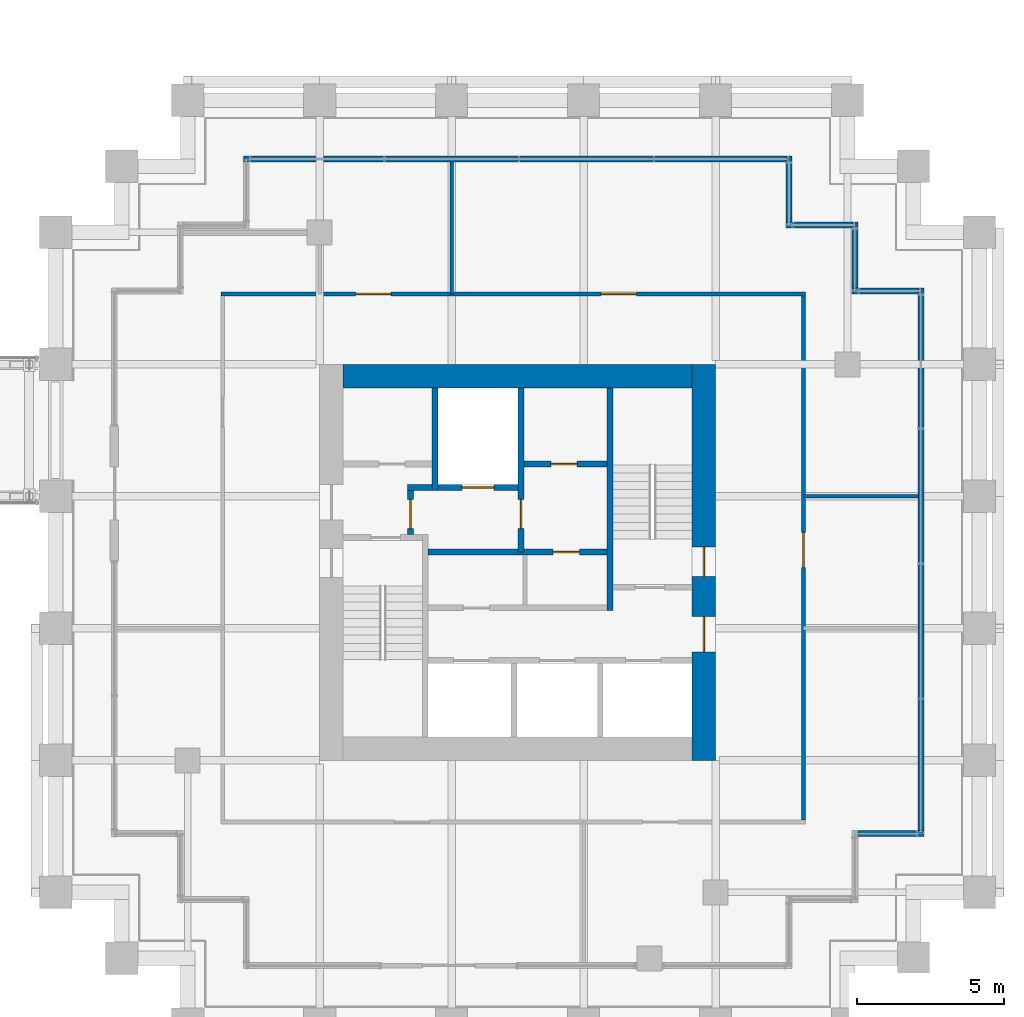
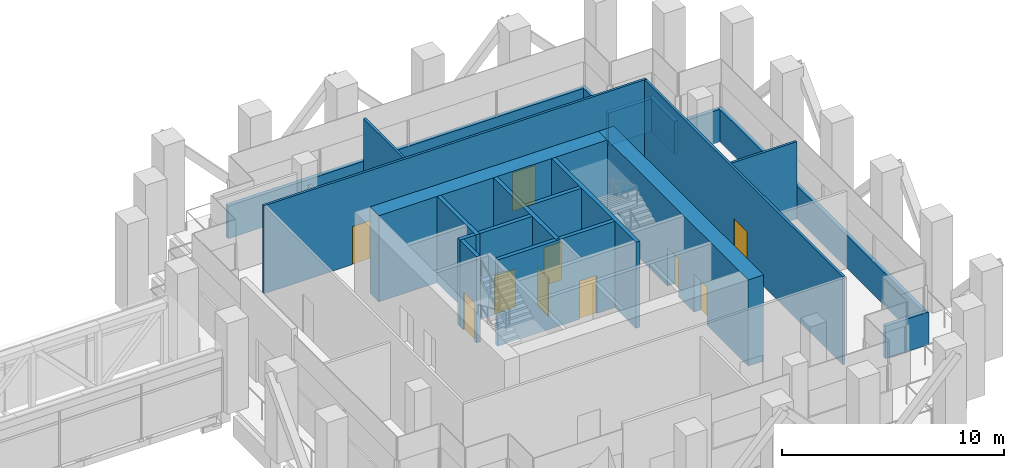
# One storey, part 40 of 44: 21 walls, 10 doors, 10 openings.
"""IFC4 building model written with IfcOpenShell, lengths in metres."""

from ifc_helpers import new_model, si_unit, direction, frame, frame_2d, origin, place, context, subcontext, project, spatial, rectangle, extrude, material, layer, layer_set, type_object, element, fill, save


model = new_model("IFC4")

# Units and contexts
model_context = context("Model", 3, precision=1e-05, world=origin(), true_north=direction((0.0, 1.0)))
body_context = subcontext(model_context, "Body", "Model", "MODEL_VIEW")
ifc_project = project(units=[si_unit("LENGTHUNIT", "METRE"), si_unit("AREAUNIT", "SQUARE_METRE"), si_unit("VOLUMEUNIT", "CUBIC_METRE"), si_unit("PLANEANGLEUNIT", "RADIAN"), si_unit("MASSUNIT", "GRAM", prefix="KILO")], contexts=[model_context])

# Site, building, storey
site_placement = place(None, origin())
site = spatial("IfcSite", under=ifc_project, at=site_placement, CompositionType="ELEMENT")
building_placement = place(site_placement, origin())
building = spatial("IfcBuilding", under=site, at=building_placement, Name="Altepetl Exchange Towers", CompositionType="ELEMENT")
storey_placement = place(building_placement, frame((0.0, 0.0, 87.0)))
storey = spatial("IfcBuildingStorey", under=building, at=storey_placement, Name="L21 Refuge", CompositionType="ELEMENT", Elevation=87.0)

# Wall, openings, doors
ifc_material_1 = material(Name="Concrete C70/85", Category="concrete")
ifc_layer_1 = layer(ifc_material_1, 0.800048828125)
ifc_layer_set_1 = layer_set([ifc_layer_1], Name="Concrete C70/85")
wall_type_1 = type_object("IfcWallType", Name="Core wall 800 reinforced concrete", PredefinedType="SHEAR", material=ifc_layer_set_1)
wall_1_placement = place(storey_placement, frame((116.60009765625, 36.0, 0.0), z_axis=(0.0, 0.0, 1.0), x_axis=(0.0, 1.0, 0.0)))
wall_1 = element("IfcWall", 1, at=wall_1_placement, inside=storey, type_object=wall_type_1, Name="wall:B:L21:K-coreE", PredefinedType="SHEAR", context=body_context, shape_type="SweptSolid", body=[
    extrude(rectangle(XDim=13.5, YDim=0.800048828125, at=frame_2d((6.75, 0.0))), origin(), (0.0, 0.0, 1.0), 4.75),
])
opening_1_placement = place(wall_1_placement, frame((3.699951171875, 0.0, 0.0)))
opening_1 = element("IfcOpeningElement", 2, at=opening_1_placement, cuts=wall_1, Name="Opening L21.B61", PredefinedType="OPENING", context=body_context, shape_type="SweptSolid", body=[
    extrude(rectangle(XDim=1.199951171875, YDim=2.10009765625, at=frame_2d((0.60009765625, 1.050048828125))), frame((0.0, 0.41015625, 0.0), z_axis=(0.0, -1.0, 0.0), x_axis=(1.0, 0.0, 0.0)), (0.0, 0.0, 1.0), 0.820068359375),
])
opening_2_placement = place(wall_1_placement, frame((6.27490234375, 0.0, 0.0)))
opening_2 = element("IfcOpeningElement", 3, at=opening_2_placement, cuts=wall_1, Name="Opening L21.B65", PredefinedType="OPENING", context=body_context, shape_type="SweptSolid", body=[
    extrude(rectangle(XDim=1.0, YDim=2.10009765625, at=frame_2d((0.5, 1.050048828125))), frame((0.0, 0.41015625, 0.0), z_axis=(0.0, -1.0, 0.0), x_axis=(1.0, 0.0, 0.0)), (0.0, 0.0, 1.0), 0.820068359375),
])
ifc_material_2 = material(Name="Steel and timber fire door", Category="steel")
door_type_1 = type_object("IfcDoorType", Name="Fire door 1000 x 2100 stair and lobby", OperationType="SINGLE_SWING_LEFT", PredefinedType="DOOR", material=ifc_material_2)
door_1_placement = place(opening_2_placement, origin())
door_1 = element("IfcDoor", 4, at=door_1_placement, inside=storey, type_object=door_type_1, Name="door:B:L21:K-dS2x", OperationType="SINGLE_SWING_LEFT", OverallHeight=2.10009765625, OverallWidth=1.0, PredefinedType="DOOR", context=body_context, shape_type="SweptSolid", body=[
    extrude(rectangle(XDim=1.0, YDim=2.10009765625, at=frame_2d((0.5, 1.050048828125))), frame((0.0, 0.02490234375, 0.0), z_axis=(0.0, -1.0, 0.0), x_axis=(1.0, 0.0, 0.0)), (0.0, 0.0, 1.0), 0.050048828125),
])
fill(opening_2, door_1)
door_type_2 = type_object("IfcDoorType", Name="Fire door 1200 x 2100 lobby entry", OperationType="SINGLE_SWING_LEFT", PredefinedType="DOOR", material=ifc_material_2)
door_2_placement = place(opening_1_placement, origin())
door_2 = element("IfcDoor", 5, at=door_2_placement, inside=storey, type_object=door_type_2, Name="door:B:L21:K-dLSE", OperationType="SINGLE_SWING_RIGHT", OverallHeight=2.10009765625, OverallWidth=1.199951171875, PredefinedType="DOOR", context=body_context, shape_type="SweptSolid", body=[
    extrude(rectangle(XDim=1.199951171875, YDim=2.10009765625, at=frame_2d((0.60009765625, 1.050048828125))), frame((0.0, 0.02490234375, 0.0), z_axis=(0.0, -1.0, 0.0), x_axis=(1.0, 0.0, 0.0)), (0.0, 0.0, 1.0), 0.050048828125),
])
fill(opening_1, door_2)

# Walls
wall_2_placement = place(storey_placement, frame((104.300048828125, 49.10009765625, 0.0)))
element("IfcWall", 6, at=wall_2_placement, inside=storey, type_object=wall_type_1, Name="wall:B:L21:K-coreN", PredefinedType="SHEAR", context=body_context, shape_type="SweptSolid", body=[
    extrude(rectangle(XDim=11.89990234375, YDim=0.800048828125, at=frame_2d((5.949951171875, 0.0))), origin(), (0.0, 0.0, 1.0), 4.75),
])
ifc_material_3 = material(Name="Concrete blockwork", Category="masonry")
ifc_layer_2 = layer(ifc_material_3, 0.199951171875)
ifc_layer_set_2 = layer_set([ifc_layer_2], Name="Concrete blockwork")
wall_type_2 = type_object("IfcWallType", Name="Lobby wall 200 blockwork", PredefinedType="PARTITIONING", material=ifc_layer_set_2)
wall_3_placement = place(storey_placement, frame((106.5, 45.300048828125, 0.0)))
element("IfcWall", 7, at=wall_3_placement, inside=storey, type_object=wall_type_2, Name="wall:B:L21:K-ffNw", PredefinedType="PARTITIONING", context=body_context, shape_type="SweptSolid", body=[
    extrude(rectangle(XDim=0.833251953125, YDim=0.199951171875, at=frame_2d((0.41650390625, 0.0))), origin(), (0.0, 0.0, 1.0), 4.75),
])

# Wall, opening, door
wall_4_placement = place(storey_placement, frame((106.60009765625, 43.699951171875, 0.0), z_axis=(0.0, 0.0, 1.0), x_axis=(0.0, 1.0, 0.0)))
wall_4 = element("IfcWall", 8, at=wall_4_placement, inside=storey, type_object=wall_type_2, Name="wall:B:L21:K-ffW", PredefinedType="PARTITIONING", context=body_context, shape_type="SweptSolid", body=[
    extrude(rectangle(XDim=1.5, YDim=0.199951171875, at=frame_2d((0.75, 0.0))), origin(), (0.0, 0.0, 1.0), 4.75),
])
opening_3_placement = place(wall_4_placement, frame((0.199951171875, 0.0, 0.0)))
opening_3 = element("IfcOpeningElement", 9, at=opening_3_placement, cuts=wall_4, Name="Opening L21.B67", PredefinedType="OPENING", context=body_context, shape_type="SweptSolid", body=[
    extrude(rectangle(XDim=1.0, YDim=2.10009765625, at=frame_2d((0.5, 1.050048828125))), frame((0.0, 0.10986328125, 0.0), z_axis=(0.0, -1.0, 0.0), x_axis=(1.0, 0.0, 0.0)), (0.0, 0.0, 1.0), 0.219970703125),
])
door_3_placement = place(opening_3_placement, frame((1.0, 0.0, 0.0), x_axis=(-1.0, 0.0, 0.0)))
door_3 = element("IfcDoor", 10, at=door_3_placement, inside=storey, type_object=door_type_1, Name="door:B:L21:K-dffW", OperationType="SINGLE_SWING_LEFT", OverallHeight=2.10009765625, OverallWidth=1.0, PredefinedType="DOOR", context=body_context, shape_type="SweptSolid", body=[
    extrude(rectangle(XDim=1.0, YDim=2.10009765625, at=frame_2d((0.5, 1.050048828125))), frame((0.0, 0.02490234375, 0.0), z_axis=(0.0, -1.0, 0.0), x_axis=(1.0, 0.0, 0.0)), (0.0, 0.0, 1.0), 0.050048828125),
])
fill(opening_3, door_3)

wall_5_placement = place(storey_placement, frame((107.199951171875, 43.10009765625, 0.0)))
wall_5 = element("IfcWall", 11, at=wall_5_placement, inside=storey, type_object=wall_type_2, Name="wall:B:L21:K-zoneN", PredefinedType="PARTITIONING", context=body_context, shape_type="SweptSolid", body=[
    extrude(rectangle(XDim=6.10009765625, YDim=0.199951171875, at=frame_2d((3.050048828125, 0.0))), origin(), (0.0, 0.0, 1.0), 4.75),
])
opening_4_placement = place(wall_5_placement, frame((4.258544921875, 0.0, 0.0)))
opening_4 = element("IfcOpeningElement", 12, at=opening_4_placement, cuts=wall_5, Name="Opening L21.B71", PredefinedType="OPENING", context=body_context, shape_type="SweptSolid", body=[
    extrude(rectangle(XDim=0.89990234375, YDim=2.10009765625, at=frame_2d((0.449951171875, 1.050048828125))), frame((0.0, 0.10986328125, 0.0), z_axis=(0.0, -1.0, 0.0), x_axis=(1.0, 0.0, 0.0)), (0.0, 0.0, 1.0), 0.219970703125),
])
door_type_3 = type_object("IfcDoorType", Name="Fire door 900 x 2100 service room", OperationType="SINGLE_SWING_LEFT", PredefinedType="DOOR", material=ifc_material_2)
door_4_placement = place(opening_4_placement, frame((0.89990234375, 0.0, 0.0), x_axis=(-1.0, 0.0, 0.0)))
door_4 = element("IfcDoor", 13, at=door_4_placement, inside=storey, type_object=door_type_3, Name="door:B:L21:K-dz2", OperationType="SINGLE_SWING_LEFT", OverallHeight=2.10009765625, OverallWidth=0.89990234375, PredefinedType="DOOR", context=body_context, shape_type="SweptSolid", body=[
    extrude(rectangle(XDim=0.89990234375, YDim=2.10009765625, at=frame_2d((0.449951171875, 1.050048828125))), frame((0.0, 0.02490234375, 0.0), z_axis=(0.0, -1.0, 0.0), x_axis=(1.0, 0.0, 0.0)), (0.0, 0.0, 1.0), 0.050048828125),
])
fill(opening_4, door_4)

# Wall
ifc_material_4 = material(Name="Gypsum board on steel studs", Category="steel")
ifc_layer_3 = layer(ifc_material_4, 0.125)
ifc_layer_set_3 = layer_set([ifc_layer_3], Name="Gypsum board on steel studs")
wall_type_3 = type_object("IfcWallType", Name="Partition 125 gypsum board on steel studs", PredefinedType="PARTITIONING", material=ifc_layer_set_3)
wall_6_placement = place(storey_placement, frame((120.0, 45.0, 0.0)))
element("IfcWall", 14, at=wall_6_placement, inside=storey, type_object=wall_type_3, Name="wall:B:L21:P04", PredefinedType="PARTITIONING", context=body_context, shape_type="SweptSolid", body=[
    extrude(rectangle(XDim=3.89990234375, YDim=0.125, at=frame_2d((1.949951171875, 0.0))), origin(), (0.0, 0.0, 1.0), 4.2509765625),
])

# Wall, openings, doors
wall_7_placement = place(storey_placement, frame((100.137451171875, 51.89990234375, 0.0)))
wall_7 = element("IfcWall", 15, at=wall_7_placement, inside=storey, type_object=wall_type_3, Name="wall:B:L21:P05", PredefinedType="PARTITIONING", context=body_context, shape_type="SweptSolid", body=[
    extrude(rectangle(XDim=19.925048828125, YDim=0.125, at=frame_2d((9.96240234375, 0.0))), origin(), (0.0, 0.0, 1.0), 4.85009765625),
])
opening_5_placement = place(wall_7_placement, frame((12.96240234375, 0.0, 0.0)))
opening_5 = element("IfcOpeningElement", 16, at=opening_5_placement, cuts=wall_7, Name="Opening L21.B04", PredefinedType="OPENING", context=body_context, shape_type="SweptSolid", body=[
    extrude(rectangle(XDim=1.199951171875, YDim=2.10009765625, at=frame_2d((0.60009765625, 1.050048828125))), frame((0.0, 0.072509765625, 0.0), z_axis=(0.0, -1.0, 0.0), x_axis=(1.0, 0.0, 0.0)), (0.0, 0.0, 1.0), 0.14501953125),
])
opening_6_placement = place(wall_7_placement, frame((4.592529296875, 0.0, 0.0)))
opening_6 = element("IfcOpeningElement", 17, at=opening_6_placement, cuts=wall_7, Name="Opening L21.B05", PredefinedType="OPENING", context=body_context, shape_type="SweptSolid", body=[
    extrude(rectangle(XDim=1.199951171875, YDim=2.10009765625, at=frame_2d((0.60009765625, 1.050048828125))), frame((0.0, 0.072509765625, 0.0), z_axis=(0.0, -1.0, 0.0), x_axis=(1.0, 0.0, 0.0)), (0.0, 0.0, 1.0), 0.14501953125),
])
door_type_4 = type_object("IfcDoorType", Name="Fire door 1200 x 2100 plant and refuge", OperationType="SINGLE_SWING_LEFT", PredefinedType="DOOR", material=ifc_material_2)
door_5_placement = place(opening_5_placement, frame((1.199951171875, 0.0, 0.0), x_axis=(-1.0, 0.0, 0.0)))
door_5 = element("IfcDoor", 18, at=door_5_placement, inside=storey, type_object=door_type_4, Name="door:B:L21:04", OperationType="SINGLE_SWING_RIGHT", OverallHeight=2.10009765625, OverallWidth=1.199951171875, PredefinedType="DOOR", context=body_context, shape_type="SweptSolid", body=[
    extrude(rectangle(XDim=1.199951171875, YDim=2.10009765625, at=frame_2d((0.60009765625, 1.050048828125))), frame((0.0, 0.02490234375, 0.0), z_axis=(0.0, -1.0, 0.0), x_axis=(1.0, 0.0, 0.0)), (0.0, 0.0, 1.0), 0.050048828125),
])
fill(opening_5, door_5)
door_6_placement = place(opening_6_placement, origin())
door_6 = element("IfcDoor", 19, at=door_6_placement, inside=storey, type_object=door_type_4, Name="door:B:L21:05", OperationType="SINGLE_SWING_RIGHT", OverallHeight=2.10009765625, OverallWidth=1.199951171875, PredefinedType="DOOR", context=body_context, shape_type="SweptSolid", body=[
    extrude(rectangle(XDim=1.199951171875, YDim=2.10009765625, at=frame_2d((0.60009765625, 1.050048828125))), frame((0.0, 0.02490234375, 0.0), z_axis=(0.0, -1.0, 0.0), x_axis=(1.0, 0.0, 0.0)), (0.0, 0.0, 1.0), 0.050048828125),
])
fill(opening_6, door_6)

# Wall
wall_8_placement = place(storey_placement, frame((108.0, 51.89990234375, 0.0), z_axis=(0.0, 0.0, 1.0), x_axis=(0.0, 1.0, 0.0)))
element("IfcWall", 20, at=wall_8_placement, inside=storey, type_object=wall_type_3, Name="wall:B:L21:P09", PredefinedType="PARTITIONING", context=body_context, shape_type="SweptSolid", body=[
    extrude(rectangle(XDim=4.5, YDim=0.125, at=frame_2d((2.25, 0.0))), origin(), (0.0, 0.0, 1.0), 4.162109375),
])

# Wall, opening, door
wall_9_placement = place(storey_placement, frame((120.0, 33.96240234375, 0.0), z_axis=(0.0, 0.0, 1.0), x_axis=(0.0, 1.0, 0.0)))
wall_9 = element("IfcWall", 21, at=wall_9_placement, inside=storey, type_object=wall_type_3, Name="wall:B:L21:P11", PredefinedType="PARTITIONING", context=body_context, shape_type="SweptSolid", body=[
    extrude(rectangle(XDim=17.875, YDim=0.125, at=frame_2d((8.9375, 0.0))), origin(), (0.0, 0.0, 1.0), 4.85009765625),
])
opening_7_placement = place(wall_9_placement, frame((8.607421875, 0.0, 0.0)))
opening_7 = element("IfcOpeningElement", 22, at=opening_7_placement, cuts=wall_9, Name="Opening L21.B03", PredefinedType="OPENING", context=body_context, shape_type="SweptSolid", body=[
    extrude(rectangle(XDim=1.199951171875, YDim=2.10009765625, at=frame_2d((0.60009765625, 1.050048828125))), frame((0.0, 0.072509765625, 0.0), z_axis=(0.0, -1.0, 0.0), x_axis=(1.0, 0.0, 0.0)), (0.0, 0.0, 1.0), 0.14501953125),
])
door_7_placement = place(opening_7_placement, frame((1.199951171875, 0.0, 0.0), x_axis=(-1.0, 0.0, 0.0)))
door_7 = element("IfcDoor", 23, at=door_7_placement, inside=storey, type_object=door_type_4, Name="door:B:L21:03", OperationType="SINGLE_SWING_LEFT", OverallHeight=2.10009765625, OverallWidth=1.199951171875, PredefinedType="DOOR", context=body_context, shape_type="SweptSolid", body=[
    extrude(rectangle(XDim=1.199951171875, YDim=2.10009765625, at=frame_2d((0.60009765625, 1.050048828125))), frame((0.0, 0.02490234375, 0.0), z_axis=(0.0, -1.0, 0.0), x_axis=(1.0, 0.0, 0.0)), (0.0, 0.0, 1.0), 0.050048828125),
])
fill(opening_7, door_7)

# Walls
ifc_material_5 = material(Name="Cantera limestone cladding", Category="masonry")
ifc_layer_4 = layer(ifc_material_5, 0.199951171875)
ifc_layer_set_4 = layer_set([ifc_layer_4], Name="Cantera limestone cladding")
wall_type_4 = type_object("IfcWallType", Name="Refuge stone wall 200", PredefinedType="ELEMENTEDWALL", material=ifc_layer_set_4)
wall_10_placement = place(storey_placement, frame((121.85009765625, 33.5, 0.0)))
element("IfcWall", 24, at=wall_10_placement, inside=storey, type_object=wall_type_4, Name="Refuge stone wall", PredefinedType="ELEMENTEDWALL", context=body_context, shape_type="SweptSolid", body=[
    extrude(rectangle(XDim=2.25, YDim=0.199951171875, at=frame_2d((1.125, 0.0))), origin(), (0.0, 0.0, 1.0), 1.800048828125),
])
wall_11_placement = place(storey_placement, frame((124.0, 33.60009765625, 0.0), z_axis=(0.0, 0.0, 1.0), x_axis=(0.0, 1.0, 0.0)))
element("IfcWall", 25, at=wall_11_placement, inside=storey, type_object=wall_type_4, Name="Refuge stone wall", PredefinedType="ELEMENTEDWALL", context=body_context, shape_type="SweptSolid", body=[
    extrude(rectangle(XDim=18.5, YDim=0.199951171875, at=frame_2d((9.25, 0.0))), origin(), (0.0, 0.0, 1.0), 1.800048828125),
])
for number, where, z_axis, x_axis, name in (
    (26, (123.89990234375, 52.0, 0.0), (0.0, 0.0, 1.0), (-1.0, 0.0, 0.0), "Refuge stone wall"),
    (27, (121.75, 52.10009765625, 0.0), (0.0, 0.0, 1.0), (0.0, 1.0, 0.0), "Refuge stone wall"),
    (28, (121.64990234375, 54.25, 0.0), (0.0, 0.0, 1.0), (-1.0, 0.0, 0.0), "Refuge stone wall"),
    (29, (119.5, 54.35009765625, 0.0), (0.0, 0.0, 1.0), (0.0, 1.0, 0.0), "Refuge stone wall"),
):
    element("IfcWall", number, at=place(storey_placement, frame(where, z_axis=z_axis, x_axis=x_axis)), inside=storey, type_object=wall_type_4, Name=name, PredefinedType="ELEMENTEDWALL", context=body_context, shape_type="SweptSolid", body=[
        extrude(rectangle(XDim=2.25, YDim=0.199951171875, at=frame_2d((1.125, 0.0))), origin(), (0.0, 0.0, 1.0), 1.800048828125),
    ])
wall_12_placement = place(storey_placement, frame((119.39990234375, 56.5, 0.0), z_axis=(0.0, 0.0, 1.0), x_axis=(-1.0, 0.0, 0.0)))
element("IfcWall", 30, at=wall_12_placement, inside=storey, type_object=wall_type_4, Name="Refuge stone wall", PredefinedType="ELEMENTEDWALL", context=body_context, shape_type="SweptSolid", body=[
    extrude(rectangle(XDim=18.5, YDim=0.199951171875, at=frame_2d((9.25, 0.0))), origin(), (0.0, 0.0, 1.0), 1.800048828125),
])
ifc_material_6 = material(Name="Concrete C40/50", Category="concrete")
ifc_layer_5 = layer(ifc_material_6, 0.199951171875)
ifc_layer_set_5 = layer_set([ifc_layer_5], Name="Concrete C40/50")
wall_type_5 = type_object("IfcWallType", Name="Shaft wall 200 reinforced concrete", PredefinedType="SHEAR", material=ifc_layer_set_5)
wall_13_placement = place(storey_placement, frame((107.433349609375, 48.699951171875, 0.0), z_axis=(0.0, 0.0, 1.0), x_axis=(0.0, -1.0, 0.0)))
element("IfcWall", 31, at=wall_13_placement, inside=storey, type_object=wall_type_5, Name="wall:B:L21:K-divN1", PredefinedType="SHEAR", context=body_context, shape_type="SweptSolid", body=[
    extrude(rectangle(XDim=3.5, YDim=0.199951171875, at=frame_2d((1.75, 0.0))), origin(), (0.0, 0.0, 1.0), 4.75),
])

# Wall, opening, door
wall_14_placement = place(storey_placement, frame((110.36669921875, 48.699951171875, 0.0), z_axis=(0.0, 0.0, 1.0), x_axis=(0.0, -1.0, 0.0)))
wall_14 = element("IfcWall", 32, at=wall_14_placement, inside=storey, type_object=wall_type_5, Name="wall:B:L21:K-divN2", PredefinedType="SHEAR", context=body_context, shape_type="SweptSolid", body=[
    extrude(rectangle(XDim=5.599853515625, YDim=0.199951171875, at=frame_2d((2.7998046875, 0.0))), origin(), (0.0, 0.0, 1.0), 4.75),
])
opening_8_placement = place(wall_14_placement, frame((3.800048828125, 0.0, 0.0)))
opening_8 = element("IfcOpeningElement", 33, at=opening_8_placement, cuts=wall_14, Name="Opening L21.B66", PredefinedType="OPENING", context=body_context, shape_type="SweptSolid", body=[
    extrude(rectangle(XDim=1.0, YDim=2.10009765625, at=frame_2d((0.5, 1.050048828125))), frame((0.0, 0.10986328125, 0.0), z_axis=(0.0, -1.0, 0.0), x_axis=(1.0, 0.0, 0.0)), (0.0, 0.0, 1.0), 0.219970703125),
])
door_8_placement = place(opening_8_placement, frame((1.0, 0.0, 0.0), x_axis=(-1.0, 0.0, 0.0)))
door_8 = element("IfcDoor", 34, at=door_8_placement, inside=storey, type_object=door_type_1, Name="door:B:L21:K-dffE", OperationType="SINGLE_SWING_RIGHT", OverallHeight=2.10009765625, OverallWidth=1.0, PredefinedType="DOOR", context=body_context, shape_type="SweptSolid", body=[
    extrude(rectangle(XDim=1.0, YDim=2.10009765625, at=frame_2d((0.5, 1.050048828125))), frame((0.0, 0.02490234375, 0.0), z_axis=(0.0, -1.0, 0.0), x_axis=(1.0, 0.0, 0.0)), (0.0, 0.0, 1.0), 0.050048828125),
])
fill(opening_8, door_8)

wall_15_placement = place(storey_placement, frame((110.466796875, 46.10009765625, 0.0)))
wall_15 = element("IfcWall", 35, at=wall_15_placement, inside=storey, type_object=wall_type_5, Name="wall:B:L21:K-frontNb", PredefinedType="SHEAR", context=body_context, shape_type="SweptSolid", body=[
    extrude(rectangle(XDim=2.833251953125, YDim=0.199951171875, at=frame_2d((1.41650390625, 0.0))), origin(), (0.0, 0.0, 1.0), 4.75),
])
opening_9_placement = place(wall_15_placement, frame((0.91650390625, 0.0, 0.0)))
opening_9 = element("IfcOpeningElement", 36, at=opening_9_placement, cuts=wall_15, Name="Opening L21.B69", PredefinedType="OPENING", context=body_context, shape_type="SweptSolid", body=[
    extrude(rectangle(XDim=0.89990234375, YDim=2.10009765625, at=frame_2d((0.449951171875, 1.050048828125))), frame((0.0, 0.10986328125, 0.0), z_axis=(0.0, -1.0, 0.0), x_axis=(1.0, 0.0, 0.0)), (0.0, 0.0, 1.0), 0.219970703125),
])
door_9_placement = place(opening_9_placement, origin())
door_9 = element("IfcDoor", 37, at=door_9_placement, inside=storey, type_object=door_type_3, Name="door:B:L21:K-dslotN2", OperationType="SINGLE_SWING_RIGHT", OverallHeight=2.10009765625, OverallWidth=0.89990234375, PredefinedType="DOOR", context=body_context, shape_type="SweptSolid", body=[
    extrude(rectangle(XDim=0.89990234375, YDim=2.10009765625, at=frame_2d((0.449951171875, 1.050048828125))), frame((0.0, 0.02490234375, 0.0), z_axis=(0.0, -1.0, 0.0), x_axis=(1.0, 0.0, 0.0)), (0.0, 0.0, 1.0), 0.050048828125),
])
fill(opening_9, door_9)

wall_16_placement = place(storey_placement, frame((107.533203125, 45.300048828125, 0.0)))
wall_16 = element("IfcWall", 38, at=wall_16_placement, inside=storey, type_object=wall_type_5, Name="wall:B:L21:K-frontNd", PredefinedType="SHEAR", context=body_context, shape_type="SweptSolid", body=[
    extrude(rectangle(XDim=2.7333984375, YDim=0.199951171875, at=frame_2d((1.36669921875, 0.0))), origin(), (0.0, 0.0, 1.0), 4.75),
])
opening_10_placement = place(wall_16_placement, frame((0.816650390625, 0.0, 0.0)))
opening_10 = element("IfcOpeningElement", 39, at=opening_10_placement, cuts=wall_16, Name="Opening L21.B72", PredefinedType="OPENING", context=body_context, shape_type="SweptSolid", body=[
    extrude(rectangle(XDim=1.10009765625, YDim=2.10009765625, at=frame_2d((0.550048828125, 1.050048828125))), frame((0.0, 0.10986328125, 0.0), z_axis=(0.0, -1.0, 0.0), x_axis=(1.0, 0.0, 0.0)), (0.0, 0.0, 1.0), 0.219970703125),
])
ifc_material_7 = material(Name="Stainless steel", Category="steel")
door_type_5 = type_object("IfcDoorType", Name="Lift landing door 1100 x 2100", OperationType="SLIDING_TO_LEFT", PredefinedType="DOOR", material=ifc_material_7)
door_10_placement = place(opening_10_placement, origin())
door_10 = element("IfcDoor", 40, at=door_10_placement, inside=storey, type_object=door_type_5, Name="Landing door FFL1", OperationType="SLIDING_TO_LEFT", OverallHeight=2.10009765625, OverallWidth=1.10009765625, PredefinedType="DOOR", context=body_context, shape_type="SweptSolid", body=[
    extrude(rectangle(XDim=1.10009765625, YDim=2.10009765625, at=frame_2d((0.550048828125, 1.050048828125))), frame((0.0, 0.02490234375, 0.0), z_axis=(0.0, -1.0, 0.0), x_axis=(1.0, 0.0, 0.0)), (0.0, 0.0, 1.0), 0.050048828125),
])
fill(opening_10, door_10)

# Wall
ifc_layer_6 = layer(ifc_material_6, 0.199951171875)
ifc_layer_set_6 = layer_set([ifc_layer_6], Name="Concrete C40/50")
wall_type_6 = type_object("IfcWallType", Name="Stair wall 200 reinforced concrete", PredefinedType="SHEAR", material=ifc_layer_set_6)
wall_17_placement = place(storey_placement, frame((113.39990234375, 41.10009765625, 0.0), z_axis=(0.0, 0.0, 1.0), x_axis=(0.0, 1.0, 0.0)))
element("IfcWall", 41, at=wall_17_placement, inside=storey, type_object=wall_type_6, Name="wall:B:L21:K-stS2W", PredefinedType="SHEAR", context=body_context, shape_type="SweptSolid", body=[
    extrude(rectangle(XDim=7.599853515625, YDim=0.199951171875, at=frame_2d((3.7998046875, 0.0))), origin(), (0.0, 0.0, 1.0), 4.75),
])

save(model, "model.ifc")
